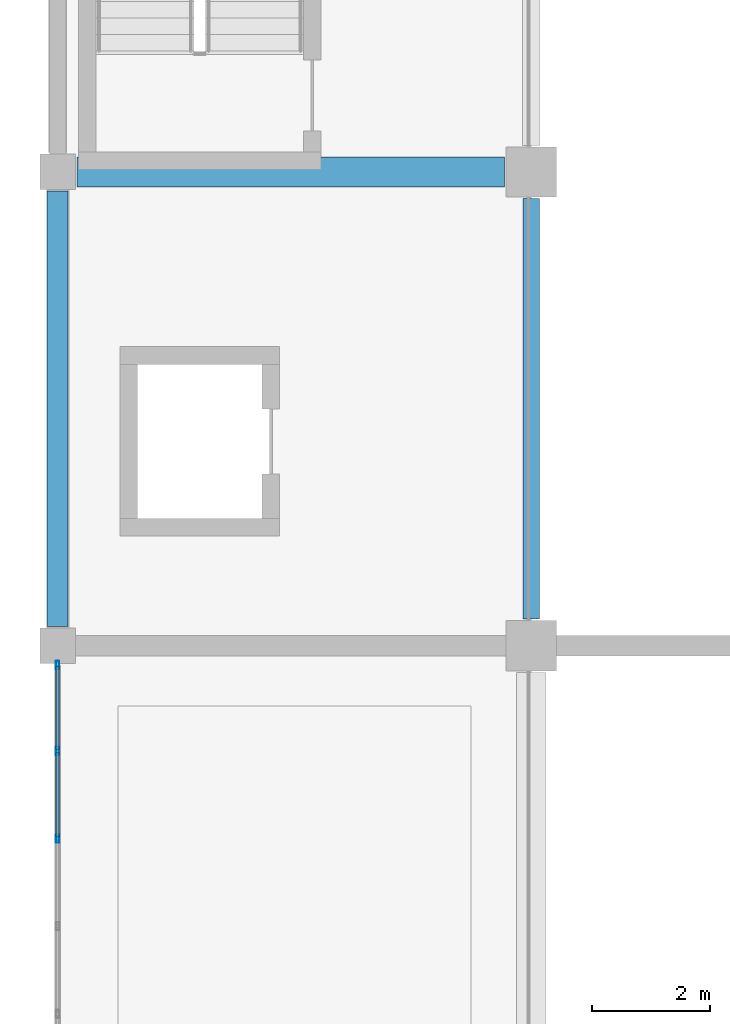
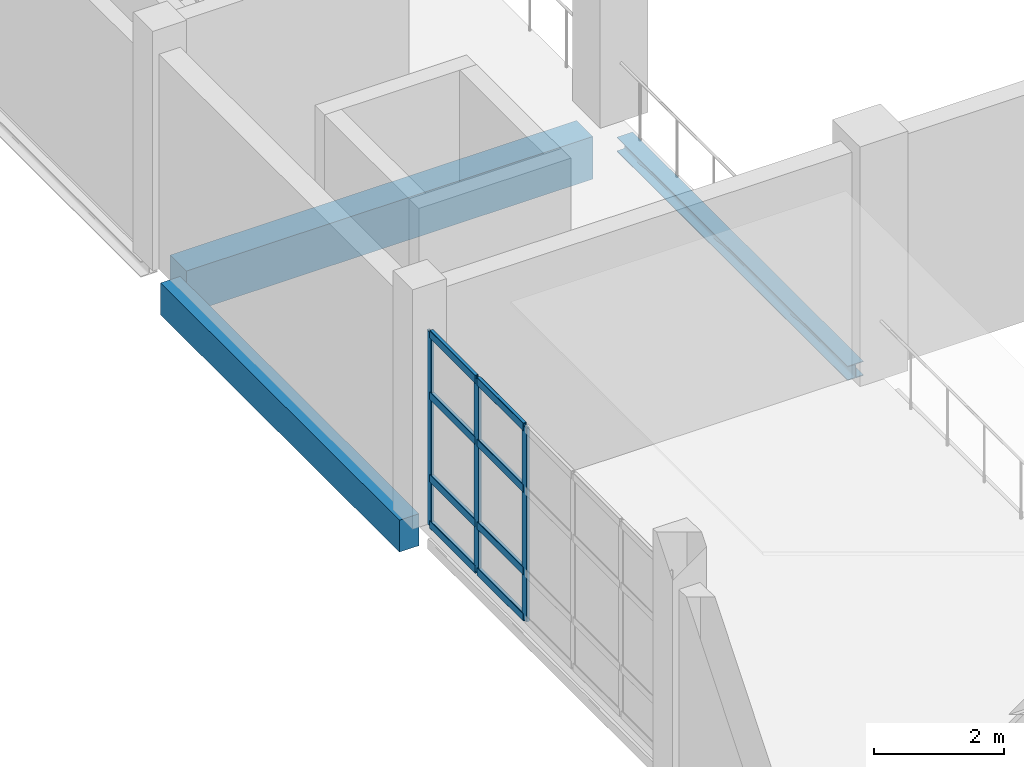
# One storey, part 61 of 183: 11 members, 3 beams, 1 element without a shape of its own.
"""IFC4 building model written with IfcOpenShell, lengths in metres."""

from ifc_helpers import new_model, si_unit, direction, frame, origin, origin_2d, place, context, subcontext, project, spatial, rectangle, hollow_rectangle, i_section, extrude, material, material_profile, profile_set, type_object, element, aggregate, save


model = new_model("IFC4")

# Units and contexts
model_context = context("Model", 3, precision=1e-05, world=origin(), true_north=direction((0.0, 1.0)))
body_context = subcontext(model_context, "Body", "Model", "MODEL_VIEW")
ifc_project = project(units=[si_unit("LENGTHUNIT", "METRE"), si_unit("AREAUNIT", "SQUARE_METRE"), si_unit("VOLUMEUNIT", "CUBIC_METRE"), si_unit("PLANEANGLEUNIT", "RADIAN"), si_unit("MASSUNIT", "GRAM", prefix="KILO")], contexts=[model_context])

# Site, building, storey
site_placement = place(None, origin())
site = spatial("IfcSite", under=ifc_project, at=site_placement, CompositionType="ELEMENT")
building_placement = place(site_placement, origin())
building = spatial("IfcBuilding", under=site, at=building_placement, Name="Luwemba Playhouse", CompositionType="ELEMENT")
storey_placement = place(building_placement, frame((0.0, 0.0, 4.800048828125)))
storey = spatial("IfcBuildingStorey", under=building, at=storey_placement, Name="L01", CompositionType="ELEMENT", Elevation=4.800048828125)

# Beams
ifc_material_1 = material(Name="Concrete C40/50", Category="concrete")
ifc_material_profile_1 = material_profile(ifc_material_1, rectangle(XDim=0.5, YDim=0.800048828125, at=origin_2d()))
ifc_profile_set_1 = profile_set([ifc_material_profile_1], Name="Concrete C40/50")
beam_type_1 = type_object("IfcBeamType", Name="BM-RB06", PredefinedType="BEAM", material=ifc_profile_set_1)
beam_1_placement = place(storey_placement, frame((4.324951171875, 76.0, -0.650146484375), z_axis=(1.0, 0.0, 0.0), x_axis=(0.0, 1.0, 0.0)))
element("IfcBeam", 1, at=beam_1_placement, inside=storey, type_object=beam_type_1, Name="L01 grid girder 0375", PredefinedType="BEAM", context=body_context, shape_type="SweptSolid", body=[
    extrude(rectangle(XDim=0.5, YDim=0.800048828125, at=origin_2d()), origin(), (0.0, 0.0, 1.0), 7.22509765625),
])
ifc_material_2 = material(Name="Steel S355", Category="steel")
ifc_material_profile_2 = material_profile(ifc_material_2, i_section(OverallWidth=0.280029296875, OverallDepth=0.27001953125, WebThickness=0.008056640625, FlangeThickness=0.012939453125, FilletRadius=0.02392578125, at=origin_2d()))
ifc_profile_set_2 = profile_set([ifc_material_profile_2], Name="Steel S355")
beam_type_2 = type_object("IfcBeamType", Name="BM-SB02", PredefinedType="BEAM", material=ifc_profile_set_2)
beam_2_placement = place(storey_placement, frame((12.0, 68.449951171875, -0.385009765625), z_axis=(0.0, 1.0, 0.0), x_axis=(-1.0, 0.0, 0.0)))
element("IfcBeam", 2, at=beam_2_placement, inside=storey, type_object=beam_type_2, Name="L01 transverse girder 0392", PredefinedType="BEAM", context=body_context, shape_type="SweptSolid", body=[
    extrude(i_section(OverallWidth=0.280029296875, OverallDepth=0.27001953125, WebThickness=0.008056640625, FlangeThickness=0.012939453125, FilletRadius=0.02392578125, at=origin_2d()), origin(), (0.0, 0.0, 1.0), 7.10009765625),
])
ifc_material_profile_3 = material_profile(ifc_material_1, rectangle(XDim=0.35009765625, YDim=0.60009765625, at=origin_2d()))
ifc_profile_set_3 = profile_set([ifc_material_profile_3], Name="Concrete C40/50")
beam_type_3 = type_object("IfcBeamType", Name="BM-SP3", PredefinedType="SPANDREL", material=ifc_profile_set_3)
beam_3_placement = place(storey_placement, frame((4.0, 68.324951171875, -0.550048828125), z_axis=(0.0, 1.0, 0.0), x_axis=(-1.0, 0.0, 0.0)))
element("IfcBeam", 3, at=beam_3_placement, inside=storey, type_object=beam_type_3, Name="L01 transverse girder 0389", PredefinedType="SPANDREL", context=body_context, shape_type="SweptSolid", body=[
    extrude(rectangle(XDim=0.35009765625, YDim=0.60009765625, at=origin_2d()), origin(), (0.0, 0.0, 1.0), 7.35009765625),
])

# Curtain wall, members
ifc_material_3 = material(Name="Solar-control double glazing", Category="glass")
curtain_wall_type = type_object("IfcCurtainWallType", Name="CW-CW72", PredefinedType="USERDEFINED", material=ifc_material_3)
curtain_wall_placement = place(storey_placement, origin())
curtain_wall = element("IfcCurtainWall", 4, at=curtain_wall_placement, inside=storey, type_object=curtain_wall_type, Name="L01 V1 unitised curtain wall 096", ObjectType="UNITISED GLAZING", PredefinedType="USERDEFINED")
ifc_material_4 = material(Name="Aluminium 6063-T6", Category="aluminium")
ifc_material_profile_4 = material_profile(ifc_material_4, hollow_rectangle(XDim=0.054931640625, YDim=0.139892578125, WallThickness=0.00390625, InnerFilletRadius=0.006103515625, OuterFilletRadius=0.010009765625, at=origin_2d()))
ifc_profile_set_4 = profile_set([ifc_material_profile_4], Name="Aluminium 6063-T6")
member_type_1 = type_object("IfcMemberType", Name="CWM-M3", PredefinedType="MULLION", material=ifc_profile_set_4)
member_1_placement = place(storey_placement, frame((4.0, 64.739990234375, 0.0), z_axis=(0.0, 0.0, 1.0), x_axis=(-1.0, 0.0, 0.0)))
member_1 = element("IfcMember", 5, at=member_1_placement, type_object=member_type_1, Name="CW72 mullion 4", PredefinedType="MULLION", context=body_context, shape_type="SweptSolid", body=[
    extrude(hollow_rectangle(XDim=0.054931640625, YDim=0.139892578125, WallThickness=0.00390625, InnerFilletRadius=0.006103515625, OuterFilletRadius=0.010009765625, at=origin_2d()), origin(), (0.0, 0.0, 1.0), 3.635009765625),
])
member_2_placement = place(storey_placement, frame((4.0, 66.219970703125, 0.0), z_axis=(0.0, 0.0, 1.0), x_axis=(-1.0, 0.0, 0.0)))
member_2 = element("IfcMember", 6, at=member_2_placement, type_object=member_type_1, Name="CW72 mullion 5", PredefinedType="MULLION", context=body_context, shape_type="SweptSolid", body=[
    extrude(hollow_rectangle(XDim=0.054931640625, YDim=0.139892578125, WallThickness=0.00390625, InnerFilletRadius=0.006103515625, OuterFilletRadius=0.010009765625, at=origin_2d()), origin(), (0.0, 0.0, 1.0), 3.635009765625),
])
member_3_placement = place(storey_placement, frame((4.0, 67.672607421875, 0.0), z_axis=(0.0, 0.0, 1.0), x_axis=(-1.0, 0.0, 0.0)))
member_3 = element("IfcMember", 7, at=member_3_placement, type_object=member_type_1, Name="CW72 mullion 6", PredefinedType="MULLION", context=body_context, shape_type="SweptSolid", body=[
    extrude(hollow_rectangle(XDim=0.054931640625, YDim=0.139892578125, WallThickness=0.00390625, InnerFilletRadius=0.006103515625, OuterFilletRadius=0.010009765625, at=origin_2d()), origin(), (0.0, 0.0, 1.0), 3.635009765625),
])
ifc_material_profile_5 = material_profile(ifc_material_4, hollow_rectangle(XDim=0.06494140625, YDim=0.14990234375, WallThickness=0.00390625, InnerFilletRadius=0.006103515625, OuterFilletRadius=0.010009765625, at=origin_2d()))
ifc_profile_set_5 = profile_set([ifc_material_profile_5], Name="Aluminium 6063-T6")
member_type_2 = type_object("IfcMemberType", Name="CWT-T3", PredefinedType="USERDEFINED", material=ifc_profile_set_5)
member_4_placement = place(storey_placement, frame((4.0, 64.767578125, 0.032470703125), z_axis=(0.0, 1.0, 0.0), x_axis=(-1.0, 0.0, 0.0)))
member_4 = element("IfcMember", 8, at=member_4_placement, type_object=member_type_2, Name="CW72 transom 4.1", ObjectType="TRANSOM", PredefinedType="USERDEFINED", context=body_context, shape_type="SweptSolid", body=[
    extrude(hollow_rectangle(XDim=0.06494140625, YDim=0.14990234375, WallThickness=0.00390625, InnerFilletRadius=0.006103515625, OuterFilletRadius=0.010009765625, at=origin_2d()), origin(), (0.0, 0.0, 1.0), 1.4248046875),
])
member_5_placement = place(storey_placement, frame((4.0, 64.767578125, 0.89990234375), z_axis=(0.0, 1.0, 0.0), x_axis=(-1.0, 0.0, 0.0)))
member_5 = element("IfcMember", 9, at=member_5_placement, type_object=member_type_2, Name="CW72 transom 4.2", ObjectType="TRANSOM", PredefinedType="USERDEFINED", context=body_context, shape_type="SweptSolid", body=[
    extrude(hollow_rectangle(XDim=0.06494140625, YDim=0.14990234375, WallThickness=0.00390625, InnerFilletRadius=0.006103515625, OuterFilletRadius=0.010009765625, at=origin_2d()), origin(), (0.0, 0.0, 1.0), 1.4248046875),
])
member_6_placement = place(storey_placement, frame((4.0, 64.767578125, 2.449951171875), z_axis=(0.0, 1.0, 0.0), x_axis=(-1.0, 0.0, 0.0)))
member_6 = element("IfcMember", 10, at=member_6_placement, type_object=member_type_2, Name="CW72 transom 4.3", ObjectType="TRANSOM", PredefinedType="USERDEFINED", context=body_context, shape_type="SweptSolid", body=[
    extrude(hollow_rectangle(XDim=0.06494140625, YDim=0.14990234375, WallThickness=0.00390625, InnerFilletRadius=0.006103515625, OuterFilletRadius=0.010009765625, at=origin_2d()), origin(), (0.0, 0.0, 1.0), 1.4248046875),
])
member_7_placement = place(storey_placement, frame((4.0, 64.767578125, 3.6025390625), z_axis=(0.0, 1.0, 0.0), x_axis=(-1.0, 0.0, 0.0)))
member_7 = element("IfcMember", 11, at=member_7_placement, type_object=member_type_2, Name="CW72 transom 4.4", ObjectType="TRANSOM", PredefinedType="USERDEFINED", context=body_context, shape_type="SweptSolid", body=[
    extrude(hollow_rectangle(XDim=0.06494140625, YDim=0.14990234375, WallThickness=0.00390625, InnerFilletRadius=0.006103515625, OuterFilletRadius=0.010009765625, at=origin_2d()), origin(), (0.0, 0.0, 1.0), 1.4248046875),
])
member_8_placement = place(storey_placement, frame((4.0, 66.24755859375, 0.032470703125), z_axis=(0.0, 1.0, 0.0), x_axis=(-1.0, 0.0, 0.0)))
member_8 = element("IfcMember", 12, at=member_8_placement, type_object=member_type_2, Name="CW72 transom 5.1", ObjectType="TRANSOM", PredefinedType="USERDEFINED", context=body_context, shape_type="SweptSolid", body=[
    extrude(hollow_rectangle(XDim=0.06494140625, YDim=0.14990234375, WallThickness=0.00390625, InnerFilletRadius=0.006103515625, OuterFilletRadius=0.010009765625, at=origin_2d()), origin(), (0.0, 0.0, 1.0), 1.3974609375),
])
member_9_placement = place(storey_placement, frame((4.0, 66.24755859375, 0.89990234375), z_axis=(0.0, 1.0, 0.0), x_axis=(-1.0, 0.0, 0.0)))
member_9 = element("IfcMember", 13, at=member_9_placement, type_object=member_type_2, Name="CW72 transom 5.2", ObjectType="TRANSOM", PredefinedType="USERDEFINED", context=body_context, shape_type="SweptSolid", body=[
    extrude(hollow_rectangle(XDim=0.06494140625, YDim=0.14990234375, WallThickness=0.00390625, InnerFilletRadius=0.006103515625, OuterFilletRadius=0.010009765625, at=origin_2d()), origin(), (0.0, 0.0, 1.0), 1.3974609375),
])
member_10_placement = place(storey_placement, frame((4.0, 66.24755859375, 2.449951171875), z_axis=(0.0, 1.0, 0.0), x_axis=(-1.0, 0.0, 0.0)))
member_10 = element("IfcMember", 14, at=member_10_placement, type_object=member_type_2, Name="CW72 transom 5.3", ObjectType="TRANSOM", PredefinedType="USERDEFINED", context=body_context, shape_type="SweptSolid", body=[
    extrude(hollow_rectangle(XDim=0.06494140625, YDim=0.14990234375, WallThickness=0.00390625, InnerFilletRadius=0.006103515625, OuterFilletRadius=0.010009765625, at=origin_2d()), origin(), (0.0, 0.0, 1.0), 1.3974609375),
])
member_11_placement = place(storey_placement, frame((4.0, 66.24755859375, 3.6025390625), z_axis=(0.0, 1.0, 0.0), x_axis=(-1.0, 0.0, 0.0)))
member_11 = element("IfcMember", 15, at=member_11_placement, type_object=member_type_2, Name="CW72 transom 5.4", ObjectType="TRANSOM", PredefinedType="USERDEFINED", context=body_context, shape_type="SweptSolid", body=[
    extrude(hollow_rectangle(XDim=0.06494140625, YDim=0.14990234375, WallThickness=0.00390625, InnerFilletRadius=0.006103515625, OuterFilletRadius=0.010009765625, at=origin_2d()), origin(), (0.0, 0.0, 1.0), 1.3974609375),
])
aggregate(curtain_wall, [member_1, member_2, member_3, member_4, member_5, member_6, member_7, member_8, member_9, member_10, member_11])

save(model, "model.ifc")
